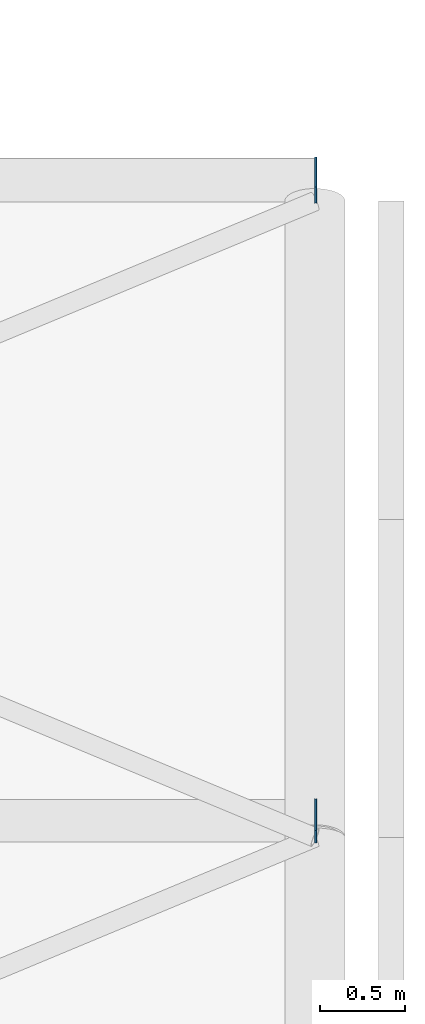
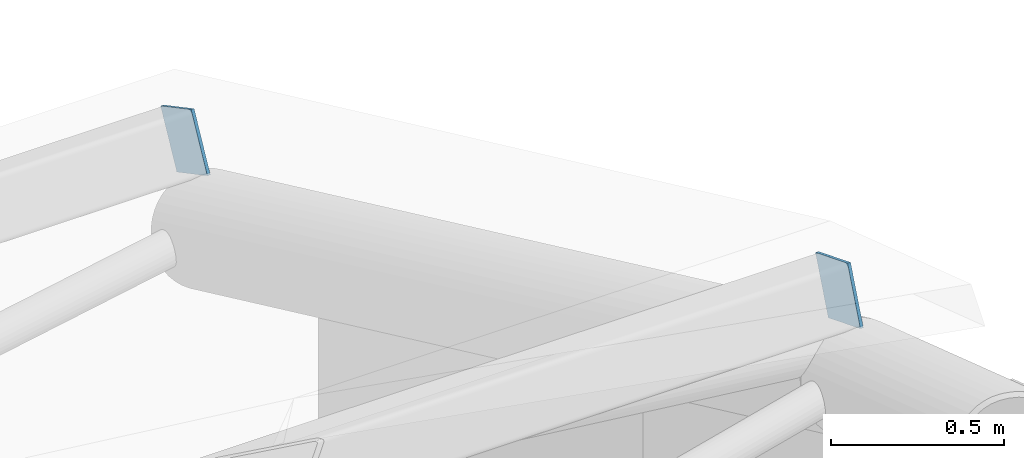
# One storey, part 40 of 54: 2 discrete accessories.
"""IFC4 building model written with IfcOpenShell, lengths in metres."""

from ifc_helpers import new_model, si_unit, direction, frame, origin, origin_2d, place, context, subcontext, project, spatial, rectangle, extrude, material, type_object, element, save


model = new_model("IFC4")

# Units and contexts
model_context = context("Model", 3, precision=1e-05, world=origin(), true_north=direction((0.0, 1.0)))
body_context = subcontext(model_context, "Body", "Model", "MODEL_VIEW")
ifc_project = project(units=[si_unit("LENGTHUNIT", "METRE"), si_unit("AREAUNIT", "SQUARE_METRE"), si_unit("VOLUMEUNIT", "CUBIC_METRE"), si_unit("PLANEANGLEUNIT", "RADIAN"), si_unit("MASSUNIT", "GRAM", prefix="KILO")], contexts=[model_context])

# Site, building, storey
site_placement = place(None, origin())
site = spatial("IfcSite", under=ifc_project, at=site_placement, CompositionType="ELEMENT")
building_placement = place(site_placement, origin())
building = spatial("IfcBuilding", under=site, at=building_placement, Name="Baradari Gate Terminus", CompositionType="ELEMENT")
storey_placement = place(building_placement, frame((0.0, 0.0, 15.89990234375)))
storey = spatial("IfcBuildingStorey", under=building, at=storey_placement, Name="L03", CompositionType="ELEMENT", Elevation=15.89990234375)

# Discrete accessories
ifc_material = material(Name="Steel S355", Category="steel")
discrete_accessory_type = type_object("IfcDiscreteAccessoryType", Name="Hollow section end plate EP-1 200x200x10", PredefinedType="ANCHORPLATE", material=ifc_material)
for number, where, z_axis, x_axis, name in (
    (1, (243.0, 69.848388671875, 2.93359375), (1.0, 0.0, 0.0), (0.0, 0.928965199535, -0.370167067759), "End plate EP-1 at the end of TR/L03/B243-PU09"),
    (2, (243.0, 73.624755859375, 1.17138671875), (1.0, 0.0, 0.0), (0.0, 0.883026855482, -0.469322461106), "End plate EP-1 at the end of TR/L03/B243-PU10"),
):
    element("IfcDiscreteAccessory", number, at=place(storey_placement, frame(where, z_axis=z_axis, x_axis=x_axis)), inside=storey, type_object=discrete_accessory_type, Name=name, PredefinedType="ANCHORPLATE", context=body_context, shape_type="SweptSolid", body=[
        extrude(rectangle(XDim=0.199951171875, YDim=0.199951171875, at=origin_2d()), origin(), (0.0, 0.0, 1.0), 0.010009765625),
    ])

save(model, "model.ifc")
